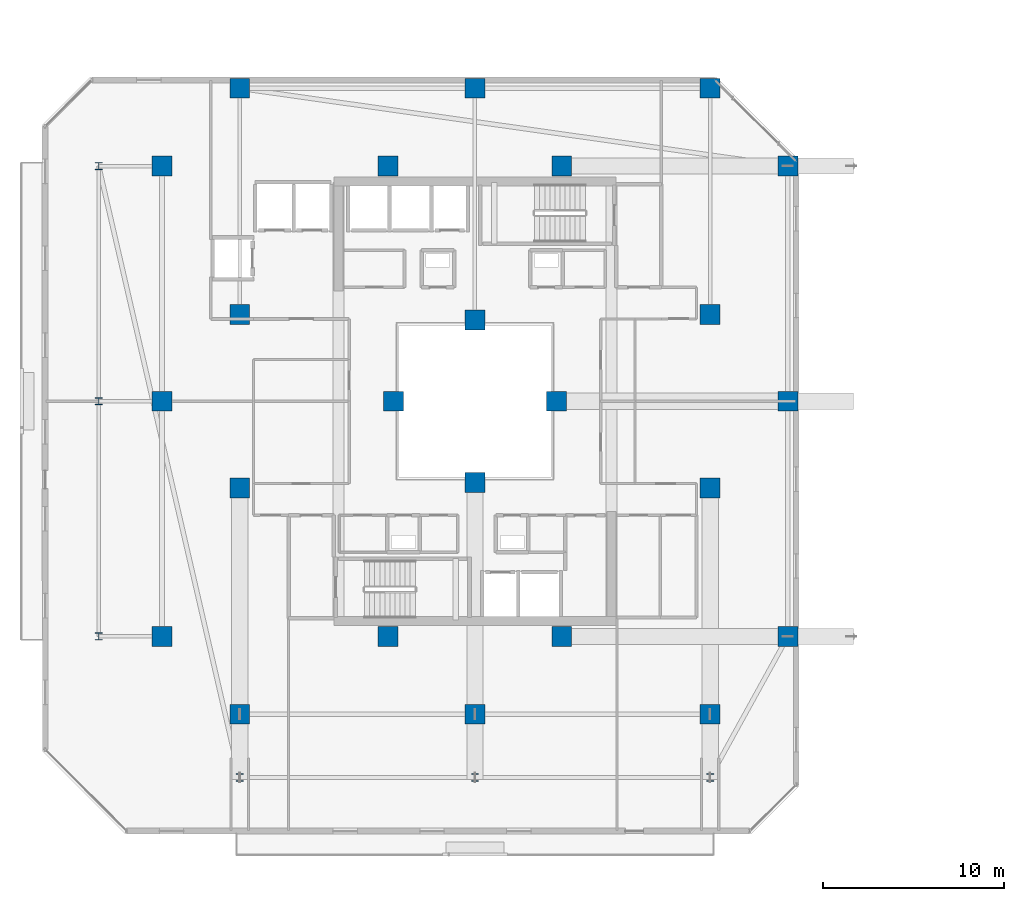
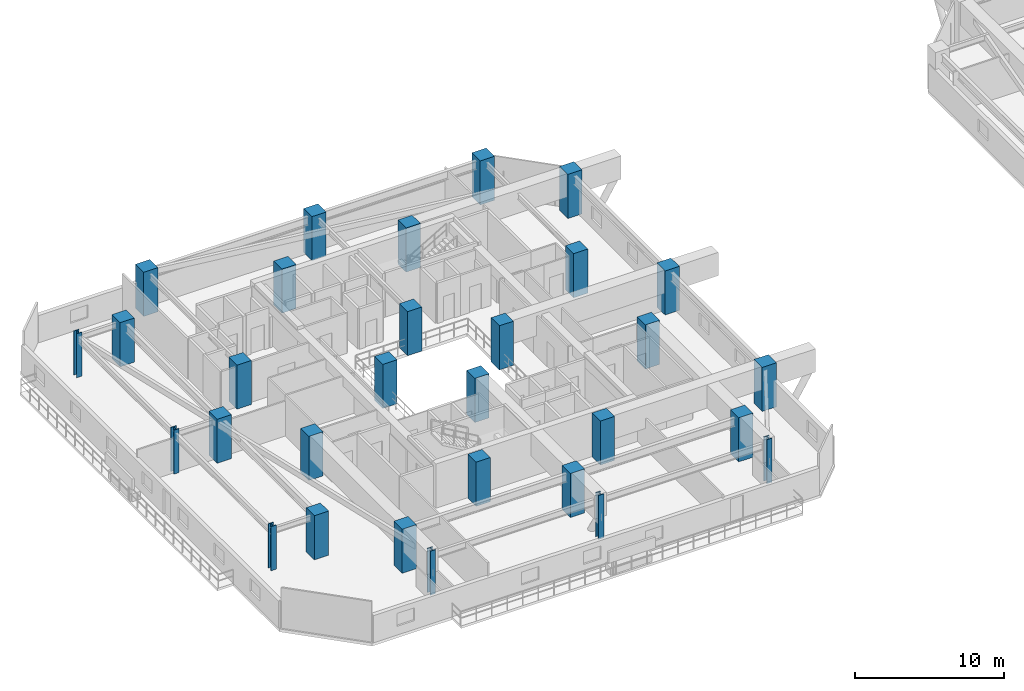
# One storey, part 1 of 35: 30 columns.
"""IFC4 building model written with IfcOpenShell, lengths in metres."""

from ifc_helpers import new_model, si_unit, direction, frame, origin, origin_2d, place, context, subcontext, project, spatial, rectangle, i_section, extrude, material, material_profile, profile_set, type_object, element, save


model = new_model("IFC4")

# Units and contexts
model_context = context("Model", 3, precision=1e-05, world=origin(), true_north=direction((0.0, 1.0)))
body_context = subcontext(model_context, "Body", "Model", "MODEL_VIEW")
ifc_project = project(units=[si_unit("LENGTHUNIT", "METRE"), si_unit("AREAUNIT", "SQUARE_METRE"), si_unit("VOLUMEUNIT", "CUBIC_METRE"), si_unit("PLANEANGLEUNIT", "RADIAN"), si_unit("MASSUNIT", "GRAM", prefix="KILO")], contexts=[model_context])

# Site, building, storey
site_placement = place(None, origin())
site = spatial("IfcSite", under=ifc_project, at=site_placement, CompositionType="ELEMENT")
building_placement = place(site_placement, origin())
building = spatial("IfcBuilding", under=site, at=building_placement, Name="Thornwick Lancets Civic Towers", CompositionType="ELEMENT")
storey_placement = place(building_placement, frame((0.0, 0.0, 145.5)))
storey = spatial("IfcBuildingStorey", under=building, at=storey_placement, Name="L38", CompositionType="ELEMENT", Elevation=145.5)

# Columns
ifc_material_1 = material(Name="Concrete C50/60", Category="concrete")
ifc_material_profile_1 = material_profile(ifc_material_1, rectangle(XDim=1.10009765625, YDim=1.10009765625, at=origin_2d()), Name="RC 1100x1100")
ifc_profile_set_1 = profile_set([ifc_material_profile_1], Name="Concrete C50/60")
column_type_1 = type_object("IfcColumnType", Name="COL_RC_1100", PredefinedType="COLUMN", material=ifc_profile_set_1)
for number, where, z_axis, x_axis, name in (
    (1, (12.5, 9.699951171875, 0.0), (0.0, 0.0, 1.0), (1.0, 0.0, 0.0), "L38 Spine Mega-Column A01"),
    (2, (25.5, 9.699951171875, 0.0), (0.0, 0.0, 1.0), (1.0, 0.0, 0.0), "L38 Spine Mega-Column A02"),
    (3, (38.5, 9.699951171875, 0.0), (0.0, 0.0, 1.0), (1.0, 0.0, 0.0), "L38 Spine Mega-Column A03"),
    (4, (42.800048828125, 14.0, 0.0), (0.0, 0.0, 1.0), (1.0, 0.0, 0.0), "L38 Spine Mega-Column A04"),
    (5, (42.800048828125, 27.0, 0.0), (0.0, 0.0, 1.0), (1.0, 0.0, 0.0), "L38 Spine Mega-Column A05"),
    (6, (42.800048828125, 40.0, 0.0), (0.0, 0.0, 1.0), (1.0, 0.0, 0.0), "L38 Spine Mega-Column A06"),
    (7, (12.5, 44.300048828125, 0.0), (0.0, 0.0, 1.0), (1.0, 0.0, 0.0), "L38 Spine Mega-Column A07"),
    (8, (25.5, 44.300048828125, 0.0), (0.0, 0.0, 1.0), (1.0, 0.0, 0.0), "L38 Spine Mega-Column A08"),
    (9, (38.5, 44.300048828125, 0.0), (0.0, 0.0, 1.0), (1.0, 0.0, 0.0), "L38 Spine Mega-Column A09"),
    (10, (8.199951171875, 14.0, 0.0), (0.0, 0.0, 1.0), (1.0, 0.0, 0.0), "L38 Spine Mega-Column A10"),
    (11, (8.199951171875, 27.0, 0.0), (0.0, 0.0, 1.0), (1.0, 0.0, 0.0), "L38 Spine Mega-Column A11"),
    (12, (8.199951171875, 40.0, 0.0), (0.0, 0.0, 1.0), (1.0, 0.0, 0.0), "L38 Spine Mega-Column A12"),
    (13, (12.5, 22.199951171875, 0.0), (0.0, 0.0, 1.0), (1.0, 0.0, 0.0), "L38 Spine Mega-Column A13"),
    (14, (38.5, 22.199951171875, 0.0), (0.0, 0.0, 1.0), (1.0, 0.0, 0.0), "L38 Spine Mega-Column A14"),
    (15, (12.5, 31.800048828125, 0.0), (0.0, 0.0, 1.0), (1.0, 0.0, 0.0), "L38 Spine Mega-Column A15"),
    (16, (38.5, 31.800048828125, 0.0), (0.0, 0.0, 1.0), (1.0, 0.0, 0.0), "L38 Spine Mega-Column A16"),
    (17, (20.699951171875, 14.0, 0.0), (0.0, 0.0, 1.0), (1.0, 0.0, 0.0), "L38 Spine Mega-Column A17"),
    (18, (30.300048828125, 14.0, 0.0), (0.0, 0.0, 1.0), (1.0, 0.0, 0.0), "L38 Spine Mega-Column A18"),
    (19, (20.699951171875, 40.0, 0.0), (0.0, 0.0, 1.0), (1.0, 0.0, 0.0), "L38 Spine Mega-Column A19"),
    (20, (30.300048828125, 40.0, 0.0), (0.0, 0.0, 1.0), (1.0, 0.0, 0.0), "L38 Spine Mega-Column A20"),
    (21, (25.5, 22.5, 0.0), (0.0, 0.0, 1.0), (1.0, 0.0, 0.0), "L38 Spine Mega-Column A21"),
    (22, (25.5, 31.5, 0.0), (0.0, 0.0, 1.0), (1.0, 0.0, 0.0), "L38 Spine Mega-Column A22"),
    (23, (21.0, 27.0, 0.0), (0.0, 0.0, 1.0), (1.0, 0.0, 0.0), "L38 Spine Mega-Column A23"),
    (24, (30.0, 27.0, 0.0), (0.0, 0.0, 1.0), (1.0, 0.0, 0.0), "L38 Spine Mega-Column A24"),
):
    element("IfcColumn", number, at=place(storey_placement, frame(where, z_axis=z_axis, x_axis=x_axis)), inside=storey, type_object=column_type_1, Name=name, PredefinedType="COLUMN", context=body_context, shape_type="SweptSolid", body=[
        extrude(rectangle(XDim=1.10009765625, YDim=1.10009765625, at=origin_2d()), origin(), (0.0, 0.0, 1.0), 3.60009765625),
    ])
ifc_material_2 = material(Name="Steel S460M", Category="steel")
ifc_material_profile_2 = material_profile(ifc_material_2, i_section(OverallWidth=0.406982421875, OverallDepth=0.4189453125, WebThickness=0.030517578125, FlangeThickness=0.04931640625, FilletRadius=0.01513671875, at=origin_2d()), Name="UKC 356x406x393")
ifc_profile_set_2 = profile_set([ifc_material_profile_2], Name="Steel S460M")
column_type_2 = type_object("IfcColumnType", Name="COL_UKC_393", PredefinedType="COLUMN", material=ifc_profile_set_2)
for number, where, z_axis, x_axis, name in (
    (25, (12.5, 6.199951171875, 0.0), (0.0, 0.0, 1.0), (1.0, 0.0, 0.0), "L38 Block Perimeter Column A01"),
    (26, (25.5, 6.199951171875, 0.0), (0.0, 0.0, 1.0), (1.0, 0.0, 0.0), "L38 Block Perimeter Column A02"),
    (27, (38.5, 6.199951171875, 0.0), (0.0, 0.0, 1.0), (1.0, 0.0, 0.0), "L38 Block Perimeter Column A03"),
    (28, (4.699951171875, 14.0, 0.0), (0.0, 0.0, 1.0), (1.0, 0.0, 0.0), "L38 Block Perimeter Column A10"),
    (29, (4.699951171875, 27.0, 0.0), (0.0, 0.0, 1.0), (1.0, 0.0, 0.0), "L38 Block Perimeter Column A11"),
    (30, (4.699951171875, 40.0, 0.0), (0.0, 0.0, 1.0), (1.0, 0.0, 0.0), "L38 Block Perimeter Column A12"),
):
    element("IfcColumn", number, at=place(storey_placement, frame(where, z_axis=z_axis, x_axis=x_axis)), inside=storey, type_object=column_type_2, Name=name, PredefinedType="COLUMN", context=body_context, shape_type="SweptSolid", body=[
        extrude(i_section(OverallWidth=0.406982421875, OverallDepth=0.4189453125, WebThickness=0.030517578125, FlangeThickness=0.04931640625, FilletRadius=0.01513671875, at=origin_2d()), origin(), (0.0, 0.0, 1.0), 3.60009765625),
    ])

save(model, "model.ifc")
